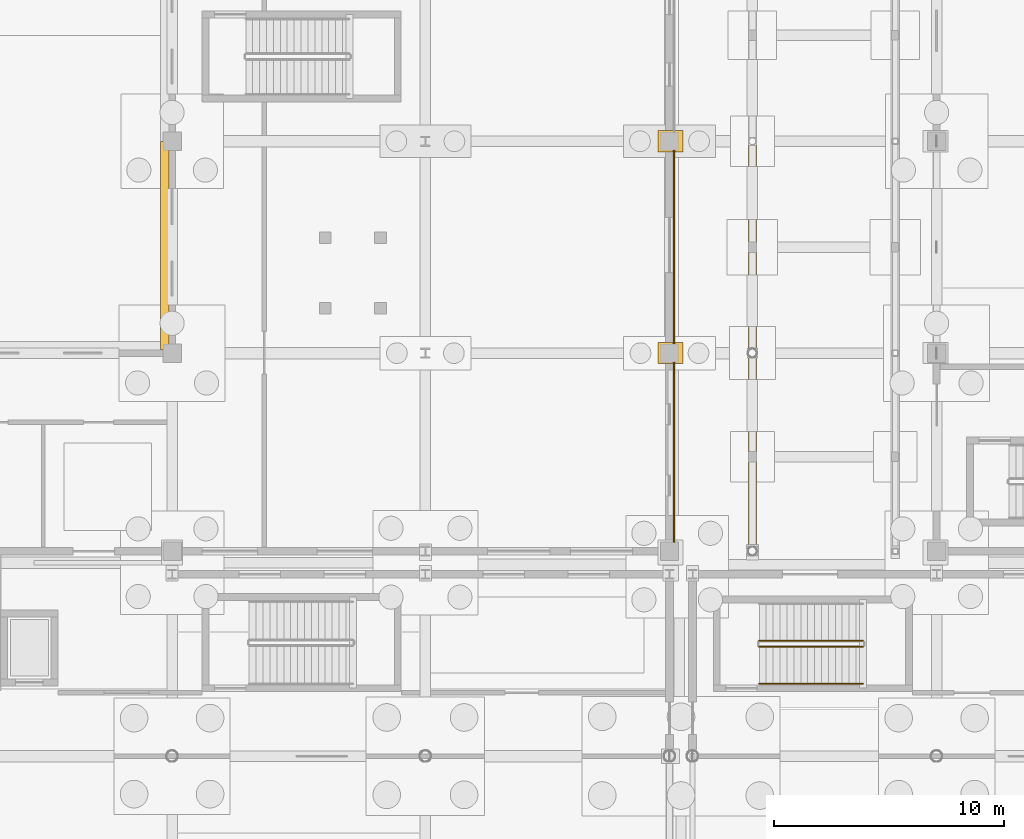
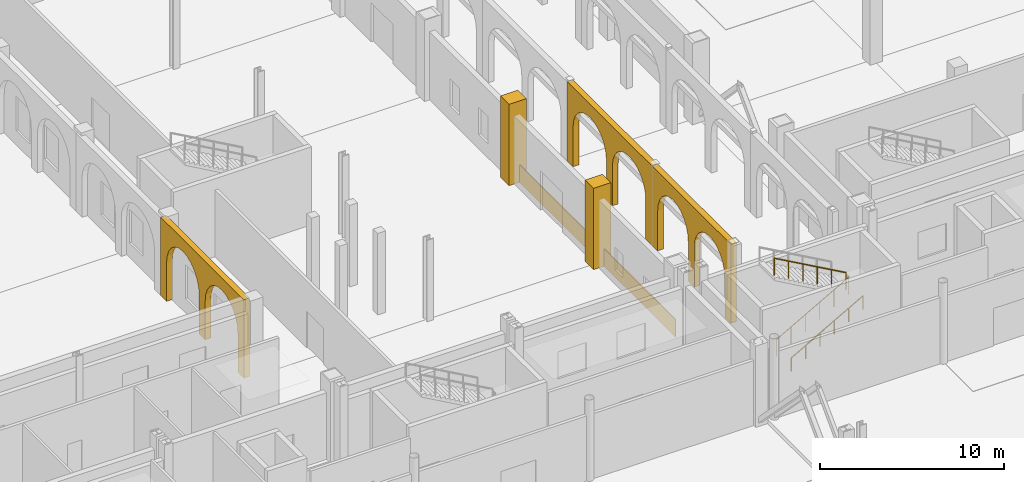
# One storey, part 74 of 83: 7 coverings, 3 railings.
"""IFC4 building model written with IfcOpenShell, lengths in metres."""

from ifc_helpers import new_model, si_unit, direction, frame, frame_2d, origin, origin_2d, place, context, subcontext, project, spatial, polyline, rectangle, circle, outline, extrude, material, layer, layer_set, type_object, element, save


model = new_model("IFC4")

# Units and contexts
model_context = context("Model", 3, precision=1e-05, world=origin(), true_north=direction((0.0, 1.0)))
body_context = subcontext(model_context, "Body", "Model", "MODEL_VIEW")
ifc_project = project(units=[si_unit("LENGTHUNIT", "METRE"), si_unit("AREAUNIT", "SQUARE_METRE"), si_unit("VOLUMEUNIT", "CUBIC_METRE"), si_unit("PLANEANGLEUNIT", "RADIAN"), si_unit("MASSUNIT", "GRAM", prefix="KILO")], contexts=[model_context])

# Site, building, storey
site_placement = place(None, origin())
site = spatial("IfcSite", under=ifc_project, at=site_placement, CompositionType="ELEMENT")
building_placement = place(site_placement, origin())
building = spatial("IfcBuilding", under=site, at=building_placement, Name="Caurita Quay Ferry Terminal", CompositionType="ELEMENT")
storey_placement = place(building_placement, origin())
storey = spatial("IfcBuildingStorey", under=building, at=storey_placement, Name="L00", CompositionType="ELEMENT", Elevation=0.0)

# Coverings
ifc_material_1 = material(Name="Warm-white lime stucco masonry", Category="masonry")
ifc_layer_1 = layer(ifc_material_1, 0.360107421875, Name="Spanish Colonial semicircular lime-stucco portales arcade 360 mm")
ifc_layer_set_1 = layer_set([ifc_layer_1], Name="Warm-white lime stucco masonry")
covering_type_1 = type_object("IfcCoveringType", Name="COV-ARC-CLD", PredefinedType="CLADDING", material=ifc_layer_set_1)
covering_1_placement = place(storey_placement, frame((91.199951171875, 71.60009765625, 0.0), z_axis=(0.0, 0.0, 1.0), x_axis=(0.0, 1.0, 0.0)))
element("IfcCovering", 1, at=covering_1_placement, inside=storey, type_object=covering_type_1, Name="Forecourt Portico Semicircular Arcade 030", PredefinedType="CLADDING", context=body_context, shape_type="SweptSolid", body=[
    extrude(outline(polyline([(0.0, 0.0), (0.64990234375, 0.0), (0.64990234375, 2.64990234375), (0.70654296875, 3.10302734375), (0.872802734375, 3.52490234375), (1.136962890625, 3.887451171875), (1.481201171875, 4.16552734375), (1.882080078125, 4.34033203125), (2.3125, 4.39990234375), (2.74267578125, 4.34033203125), (3.143798828125, 4.16552734375), (3.488037109375, 3.887451171875), (3.752197265625, 3.52490234375), (3.918212890625, 3.10302734375), (3.974853515625, 2.64990234375), (3.974853515625, 0.0), (4.625, 0.0), (4.625, 2.64990234375), (4.681640625, 3.10302734375), (4.84765625, 3.52490234375), (5.11181640625, 3.887451171875), (5.4560546875, 4.16552734375), (5.857177734375, 4.34033203125), (6.287353515625, 4.39990234375), (6.7177734375, 4.34033203125), (7.11865234375, 4.16552734375), (7.462890625, 3.887451171875), (7.72705078125, 3.52490234375), (7.893310546875, 3.10302734375), (7.949951171875, 2.64990234375), (7.949951171875, 0.0), (8.599853515625, 0.0), (8.599853515625, 5.260009765625), (0.0, 5.260009765625), (0.0, 0.0)])), frame((0.0, 0.18017578125, 0.0), z_axis=(0.0, -1.0, 0.0), x_axis=(1.0, 0.0, 0.0)), (0.0, 0.0, 1.0), 0.360107421875),
])
covering_2_placement = place(storey_placement, frame((91.199951171875, 80.199951171875, 0.0), z_axis=(0.0, 0.0, 1.0), x_axis=(0.0, 1.0, 0.0)))
element("IfcCovering", 2, at=covering_2_placement, inside=storey, type_object=covering_type_1, Name="Forecourt Portico Semicircular Arcade 031", PredefinedType="CLADDING", context=body_context, shape_type="SweptSolid", body=[
    extrude(outline(polyline([(0.0, 0.0), (0.64990234375, 0.0), (0.64990234375, 2.64990234375), (0.711669921875, 3.10302734375), (0.892822265625, 3.52490234375), (1.180908203125, 3.887451171875), (1.55615234375, 4.16552734375), (1.993408203125, 4.34033203125), (2.46240234375, 4.39990234375), (2.931640625, 4.34033203125), (3.36865234375, 4.16552734375), (3.744140625, 3.887451171875), (4.0322265625, 3.52490234375), (4.213134765625, 3.10302734375), (4.27490234375, 2.64990234375), (4.27490234375, 0.0), (4.925048828125, 0.0), (4.925048828125, 2.64990234375), (4.98681640625, 3.10302734375), (5.167724609375, 3.52490234375), (5.455810546875, 3.887451171875), (5.831298828125, 4.16552734375), (6.268310546875, 4.34033203125), (6.737548828125, 4.39990234375), (7.20654296875, 4.34033203125), (7.643798828125, 4.16552734375), (8.01904296875, 3.887451171875), (8.30712890625, 3.52490234375), (8.48828125, 3.10302734375), (8.550048828125, 2.64990234375), (8.550048828125, 0.0), (9.199951171875, 0.0), (9.199951171875, 5.260009765625), (0.0, 5.260009765625), (0.0, 0.0)])), frame((0.0, 0.18017578125, 0.0), z_axis=(0.0, -1.0, 0.0), x_axis=(1.0, 0.0, 0.0)), (0.0, 0.0, 1.0), 0.360107421875),
])
covering_3_placement = place(storey_placement, frame((65.679931640625, 89.39990234375, 0.0), z_axis=(0.0, 0.0, 1.0), x_axis=(0.0, -1.0, 0.0)))
element("IfcCovering", 3, at=covering_3_placement, inside=storey, type_object=covering_type_1, Name="L00 Courtyard East Cloister Arcade 048", PredefinedType="CLADDING", context=body_context, shape_type="SweptSolid", body=[
    extrude(outline(polyline([(0.0, 0.0), (0.64990234375, 0.0), (0.64990234375, 2.550048828125), (0.71044921875, 3.02880859375), (0.8876953125, 3.47509765625), (1.169921875, 3.858154296875), (1.537353515625, 4.152099609375), (1.965576171875, 4.3369140625), (2.425048828125, 4.39990234375), (2.88427734375, 4.3369140625), (3.3125, 4.152099609375), (3.679931640625, 3.858154296875), (3.962158203125, 3.47509765625), (4.139404296875, 3.02880859375), (4.199951171875, 2.550048828125), (4.199951171875, 0.0), (4.849853515625, 0.0), (4.849853515625, 2.550048828125), (4.910400390625, 3.02880859375), (5.087646484375, 3.47509765625), (5.369873046875, 3.858154296875), (5.7373046875, 4.152099609375), (6.16552734375, 4.3369140625), (6.624755859375, 4.39990234375), (7.084228515625, 4.3369140625), (7.51220703125, 4.152099609375), (7.8798828125, 3.858154296875), (8.162109375, 3.47509765625), (8.33935546875, 3.02880859375), (8.39990234375, 2.550048828125), (8.39990234375, 0.0), (9.0498046875, 0.0), (9.0498046875, 5.199951171875), (0.0, 5.199951171875), (0.0, 0.0)])), frame((0.0, 0.18017578125, 0.0), z_axis=(0.0, -1.0, 0.0), x_axis=(1.0, 0.0, 0.0)), (0.0, 0.0, 1.0), 0.360107421875),
])
ifc_material_2 = material(Name="Coral stone ashlar cladding", Category="masonry")
ifc_layer_2 = layer(ifc_material_2, 0.054931640625, Name="Rusticated coral-stone basamento plinth cladding 55 mm")
ifc_layer_set_2 = layer_set([ifc_layer_2], Name="Coral stone ashlar cladding")
covering_type_2 = type_object("IfcCoveringType", Name="COV-CORAL-CLD", PredefinedType="CLADDING", material=ifc_layer_set_2)
covering_4_placement = place(storey_placement, frame((87.794921875, 71.998046875, 0.0), z_axis=(0.0, 0.0, 1.0), x_axis=(0.0, 1.0, 0.0)))
element("IfcCovering", 4, at=covering_4_placement, inside=storey, type_object=covering_type_2, Name="Coral-Stone Basamento Cladding 076", PredefinedType="CLADDING", context=body_context, shape_type="SweptSolid", body=[
    extrude(rectangle(XDim=7.803955078125, YDim=0.054931640625, at=frame_2d((3.90185546875, 0.0))), origin(), (0.0, 0.0, 1.0), 1.14990234375),
])
covering_5_placement = place(storey_placement, frame((87.794921875, 80.597900390625, 0.0), z_axis=(0.0, 0.0, 1.0), x_axis=(0.0, 1.0, 0.0)))
element("IfcCovering", 5, at=covering_5_placement, inside=storey, type_object=covering_type_2, Name="Coral-Stone Basamento Cladding 077", PredefinedType="CLADDING", context=body_context, shape_type="SweptSolid", body=[
    extrude(rectangle(XDim=8.404052734375, YDim=0.054931640625, at=frame_2d((4.2021484375, 0.0))), origin(), (0.0, 0.0, 1.0), 1.14990234375),
])
ifc_layer_3 = layer(ifc_material_1, 0.179931640625, Name="Classical engaged lime-stucco facade pilaster cladding 180 mm")
ifc_layer_set_3 = layer_set([ifc_layer_3], Name="Warm-white lime stucco masonry")
covering_type_3 = type_object("IfcCoveringType", Name="COV-PIL-CLD", PredefinedType="CLADDING", material=ifc_layer_set_3)
for number, where, z_axis, x_axis, name in (
    (6, (87.64990234375, 80.199951171875, 0.0), (0.0, 0.0, 1.0), (1.0, 0.0, 0.0), "L00 Classical Engaged Pilaster 0396"),
    (7, (87.64990234375, 89.39990234375, 0.0), (0.0, 0.0, 1.0), (1.0, 0.0, 0.0), "L00 Classical Engaged Pilaster 0398"),
):
    element("IfcCovering", number, at=place(storey_placement, frame(where, z_axis=z_axis, x_axis=x_axis)), inside=storey, type_object=covering_type_3, Name=name, PredefinedType="CLADDING", context=body_context, shape_type="SweptSolid", body=[
        extrude(rectangle(XDim=1.080078125, YDim=0.919921875, at=origin_2d()), origin(), (0.0, 0.0, 1.0), 5.39990234375),
    ])

# Railings
ifc_material_3 = material(Name="Bronze architectural metalwork", Category="metal")
railing_type_1 = type_object("IfcRailingType", Name="RL-HND-090", PredefinedType="HANDRAIL", material=ifc_material_3)
railing_1_placement = place(storey_placement, frame((91.5, 65.85009765625, 0.168701171875)))
element("IfcRailing", 8, at=railing_1_placement, inside=storey, type_object=railing_type_1, Name="L00 ST-08 stair handrail 1", PredefinedType="HANDRAIL", context=body_context, shape_type="SweptSolid", body=[
    extrude(circle(Radius=0.02392578125, at=origin_2d()), frame((0.0, 0.0, 0.8759765625), z_axis=(0.871575537125, 0.0, 0.490261239633), x_axis=(0.0, 1.0, 0.0)), (0.0, 0.0, 1.0), 5.1630859375),
    extrude(circle(Radius=0.02099609375, at=origin_2d()), origin(), (0.0, 0.0, 1.0), 0.851806640625),
    extrude(circle(Radius=0.02099609375, at=origin_2d()), frame((0.89990234375, 0.0, 0.50634765625)), (0.0, 0.0, 1.0), 0.851806640625),
    extrude(circle(Radius=0.02099609375, at=origin_2d()), frame((1.800048828125, 0.0, 1.012451171875)), (0.0, 0.0, 1.0), 0.851806640625),
    extrude(circle(Radius=0.02099609375, at=origin_2d()), frame((2.699951171875, 0.0, 1.518798828125)), (0.0, 0.0, 1.0), 0.851806640625),
    extrude(circle(Radius=0.02099609375, at=origin_2d()), frame((3.60009765625, 0.0, 2.02490234375)), (0.0, 0.0, 1.0), 0.851806640625),
    extrude(circle(Radius=0.02099609375, at=origin_2d()), frame((4.5, 0.0, 2.53125)), (0.0, 0.0, 1.0), 0.851806640625),
])
railing_type_2 = type_object("IfcRailingType", Name="RL-REJA-115", PredefinedType="BALUSTRADE", material=ifc_material_3)
railing_2_placement = place(storey_placement, frame((91.5, 67.449951171875, 0.168701171875)))
element("IfcRailing", 9, at=railing_2_placement, inside=storey, type_object=railing_type_2, Name="L00 ST-08 stair guard 1", PredefinedType="BALUSTRADE", context=body_context, shape_type="SweptSolid", body=[
    extrude(circle(Radius=0.02392578125, at=origin_2d()), frame((0.0, 0.0, 1.1259765625), z_axis=(0.871575537125, 0.0, 0.490261239633), x_axis=(0.0, 1.0, 0.0)), (0.0, 0.0, 1.0), 5.1630859375),
    extrude(circle(Radius=0.02099609375, at=origin_2d()), origin(), (0.0, 0.0, 1.0), 1.101806640625),
    extrude(circle(Radius=0.02099609375, at=origin_2d()), frame((0.89990234375, 0.0, 0.50634765625)), (0.0, 0.0, 1.0), 1.101806640625),
    extrude(circle(Radius=0.02099609375, at=origin_2d()), frame((1.800048828125, 0.0, 1.012451171875)), (0.0, 0.0, 1.0), 1.101806640625),
    extrude(circle(Radius=0.02099609375, at=origin_2d()), frame((2.699951171875, 0.0, 1.518798828125)), (0.0, 0.0, 1.0), 1.101806640625),
    extrude(circle(Radius=0.02099609375, at=origin_2d()), frame((3.60009765625, 0.0, 2.02490234375)), (0.0, 0.0, 1.0), 1.101806640625),
    extrude(circle(Radius=0.02099609375, at=origin_2d()), frame((4.5, 0.0, 2.53125)), (0.0, 0.0, 1.0), 1.101806640625),
])
railing_3_placement = place(storey_placement, frame((96.0, 67.7099609375, 2.86865234375)))
element("IfcRailing", 10, at=railing_3_placement, inside=storey, type_object=railing_type_2, Name="L00 ST-08 stair guard 3", PredefinedType="BALUSTRADE", context=body_context, shape_type="SweptSolid", body=[
    extrude(circle(Radius=0.02392578125, at=origin_2d()), frame((0.0, 0.0, 1.1259765625), z_axis=(-0.871575537125, 0.0, 0.490261239633), x_axis=(0.0, -1.0, 0.0)), (0.0, 0.0, 1.0), 5.1630859375),
    extrude(circle(Radius=0.02099609375, at=origin_2d()), origin(), (0.0, 0.0, 1.0), 1.101806640625),
    extrude(circle(Radius=0.02099609375, at=origin_2d()), frame((-0.89990234375, 0.0, 0.50634765625)), (0.0, 0.0, 1.0), 1.101806640625),
    extrude(circle(Radius=0.02099609375, at=origin_2d()), frame((-1.800048828125, 0.0, 1.012451171875)), (0.0, 0.0, 1.0), 1.101806640625),
    extrude(circle(Radius=0.02099609375, at=origin_2d()), frame((-2.699951171875, 0.0, 1.518798828125)), (0.0, 0.0, 1.0), 1.101806640625),
    extrude(circle(Radius=0.02099609375, at=origin_2d()), frame((-3.60009765625, 0.0, 2.02490234375)), (0.0, 0.0, 1.0), 1.101806640625),
    extrude(circle(Radius=0.02099609375, at=origin_2d()), frame((-4.5, 0.0, 2.53125)), (0.0, 0.0, 1.0), 1.101806640625),
])

save(model, "model.ifc")
